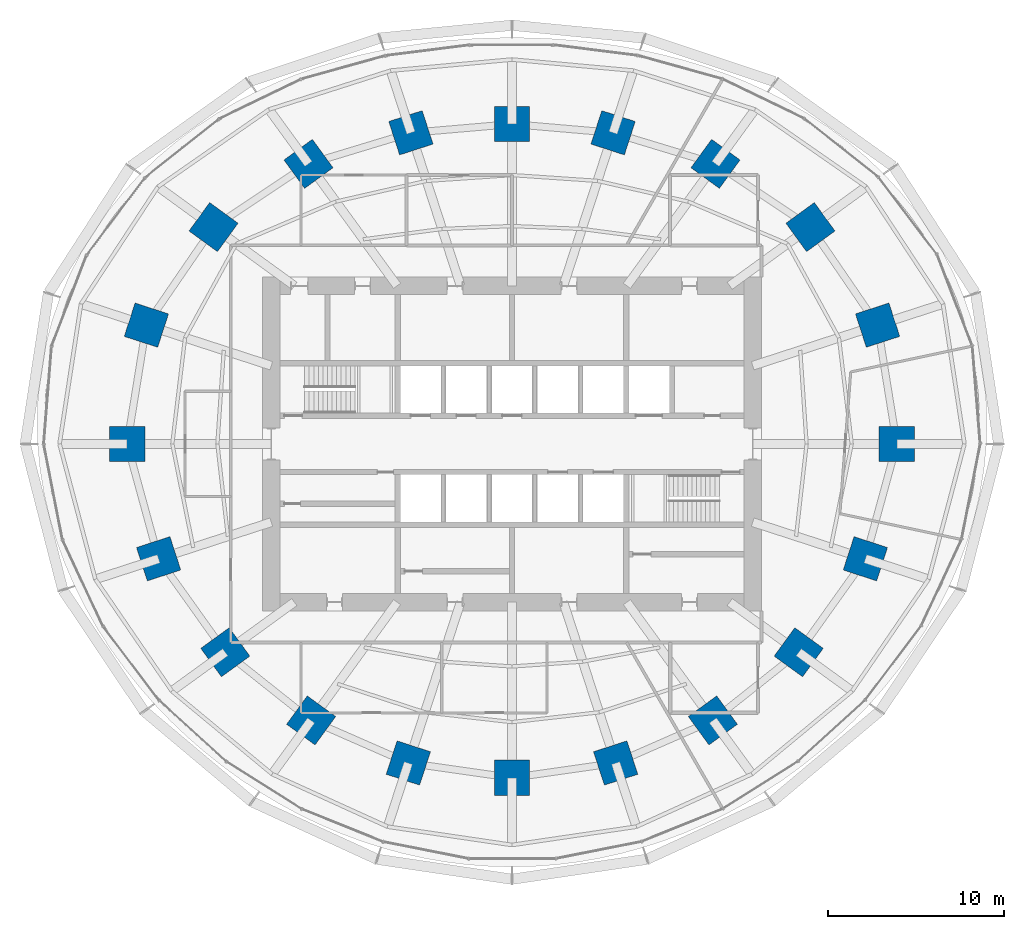
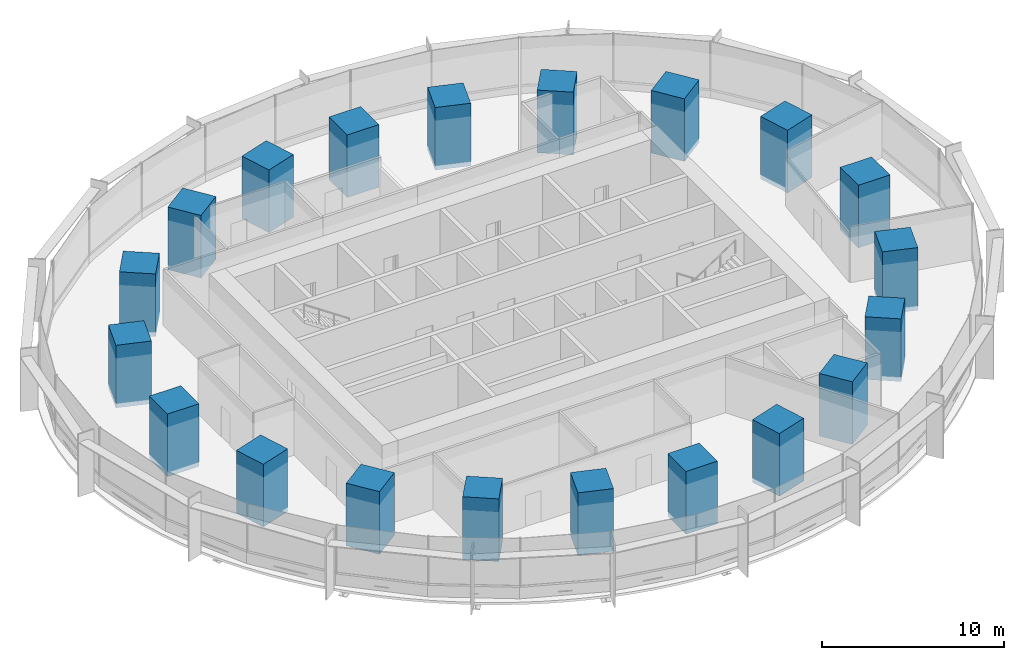
# One storey, part 1 of 15: 20 columns.
"""IFC4 building model written with IfcOpenShell, lengths in metres."""

from ifc_helpers import new_model, si_unit, direction, frame, origin, origin_2d, place, context, subcontext, project, spatial, rectangle, extrude, material, material_profile, profile_set, type_object, element, save


model = new_model("IFC4")

# Units and contexts
model_context = context("Model", 3, precision=1e-05, world=origin(), true_north=direction((0.0, 1.0)))
body_context = subcontext(model_context, "Body", "Model", "MODEL_VIEW")
ifc_project = project(units=[si_unit("LENGTHUNIT", "METRE"), si_unit("AREAUNIT", "SQUARE_METRE"), si_unit("VOLUMEUNIT", "CUBIC_METRE"), si_unit("PLANEANGLEUNIT", "RADIAN"), si_unit("MASSUNIT", "GRAM", prefix="KILO")], contexts=[model_context])

# Site, building, storey
site_placement = place(None, origin())
site = spatial("IfcSite", under=ifc_project, at=site_placement, CompositionType="ELEMENT")
building_placement = place(site_placement, origin())
building = spatial("IfcBuilding", under=site, at=building_placement, Name="Marramba Exchange Tower", CompositionType="ELEMENT")
storey_placement = place(building_placement, frame((0.0, 0.0, 78.39990234375)))
storey = spatial("IfcBuildingStorey", under=building, at=storey_placement, Name="L18", CompositionType="ELEMENT", Elevation=78.39990234375)

# Columns
ifc_material = material(Name="Concrete N50", Category="concrete")
ifc_material_profile = material_profile(ifc_material, rectangle(XDim=2.0, YDim=2.0, at=origin_2d()), Name="RC 2000x2000")
ifc_profile_set = profile_set([ifc_material_profile], Name="Concrete N50")
column_type = type_object("IfcColumnType", Name="Perimeter column RC 2000x2000 N50", PredefinedType="COLUMN", material=ifc_profile_set)
for number, where, z_axis, x_axis, name in (
    (1, (21.89990234375, 0.0, 0.0), (0.0, 0.0, 1.0), (1.0, 0.0, 0.0), "Column TC01 L18"),
    (2, (20.808349609375, 6.760986328125, 0.0), (0.0, 0.0, 1.0), (0.951056516295, 0.309016994375, 0.0), "Column TC02 L18"),
    (3, (16.98583984375, 12.3408203125, 0.0), (0.0, 0.0, 1.0), (0.809016994375, 0.587785252292, 0.0), "Column TC03 L18"),
    (4, (11.581298828125, 15.9404296875, 0.0), (0.0, 0.0, 1.0), (0.587785252292, 0.809016994375, 0.0), "Column TC04 L18"),
    (5, (5.75390625, 17.70849609375, 0.0), (0.0, 0.0, 1.0), (0.309016994375, 0.951056516295, 0.0), "Column TC05 L18"),
    (6, (0.0, 18.2041015625, 0.0), (0.0, 0.0, 1.0), (0.0, 1.0, 0.0), "Column TC06 L18"),
    (7, (-5.75390625, 17.70849609375, 0.0), (0.0, 0.0, 1.0), (-0.309016994375, 0.951056516295, 0.0), "Column TC07 L18"),
    (8, (-11.581298828125, 15.9404296875, 0.0), (0.0, 0.0, 1.0), (-0.587785252292, 0.809016994375, 0.0), "Column TC08 L18"),
    (9, (-16.98583984375, 12.3408203125, 0.0), (0.0, 0.0, 1.0), (-0.809016994375, 0.587785252292, 0.0), "Column TC09 L18"),
    (10, (-20.808349609375, 6.760986328125, 0.0), (0.0, 0.0, 1.0), (-0.951056516295, 0.309016994375, 0.0), "Column TC10 L18"),
    (11, (-21.89990234375, 0.0, 0.0), (0.0, 0.0, 1.0), (-1.0, 0.0, 0.0), "Column TC11 L18"),
    (12, (-20.109375, -6.533935546875, 0.0), (0.0, 0.0, 1.0), (-0.951056516295, -0.309016994375, 0.0), "Column TC12 L18"),
    (13, (-16.3154296875, -11.853759765625, 0.0), (0.0, 0.0, 1.0), (-0.809016994375, -0.587785252292, 0.0), "Column TC13 L18"),
    (14, (-11.430419921875, -15.732666015625, 0.0), (0.0, 0.0, 1.0), (-0.587785252292, -0.809016994375, 0.0), "Column TC14 L18"),
    (15, (-5.899658203125, -18.156982421875, 0.0), (0.0, 0.0, 1.0), (-0.309016994375, -0.951056516295, 0.0), "Column TC15 L18"),
    (16, (0.0, -18.99609375, 0.0), (0.0, 0.0, 1.0), (0.0, -1.0, 0.0), "Column TC16 L18"),
    (17, (5.899658203125, -18.156982421875, 0.0), (0.0, 0.0, 1.0), (0.309016994375, -0.951056516295, 0.0), "Column TC17 L18"),
    (18, (11.430419921875, -15.732666015625, 0.0), (0.0, 0.0, 1.0), (0.587785252292, -0.809016994375, 0.0), "Column TC18 L18"),
    (19, (16.3154296875, -11.853759765625, 0.0), (0.0, 0.0, 1.0), (0.809016994375, -0.587785252292, 0.0), "Column TC19 L18"),
    (20, (20.109375, -6.533935546875, 0.0), (0.0, 0.0, 1.0), (0.951056516295, -0.309016994375, 0.0), "Column TC20 L18"),
):
    element("IfcColumn", number, at=place(storey_placement, frame(where, z_axis=z_axis, x_axis=x_axis)), inside=storey, type_object=column_type, Name=name, PredefinedType="COLUMN", context=body_context, shape_type="SweptSolid", body=[
        extrude(rectangle(XDim=2.0, YDim=2.0, at=origin_2d()), origin(), (0.0, 0.0, 1.0), 4.2001953125),
    ])

save(model, "model.ifc")
